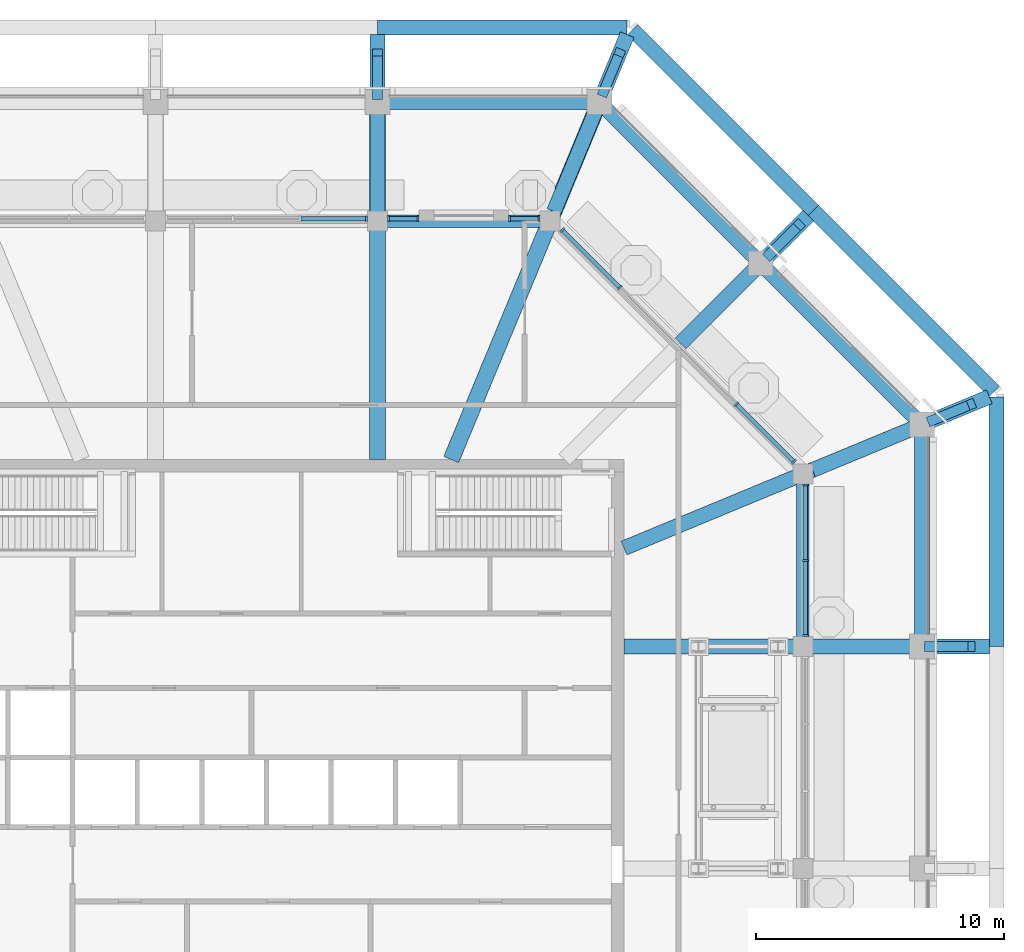
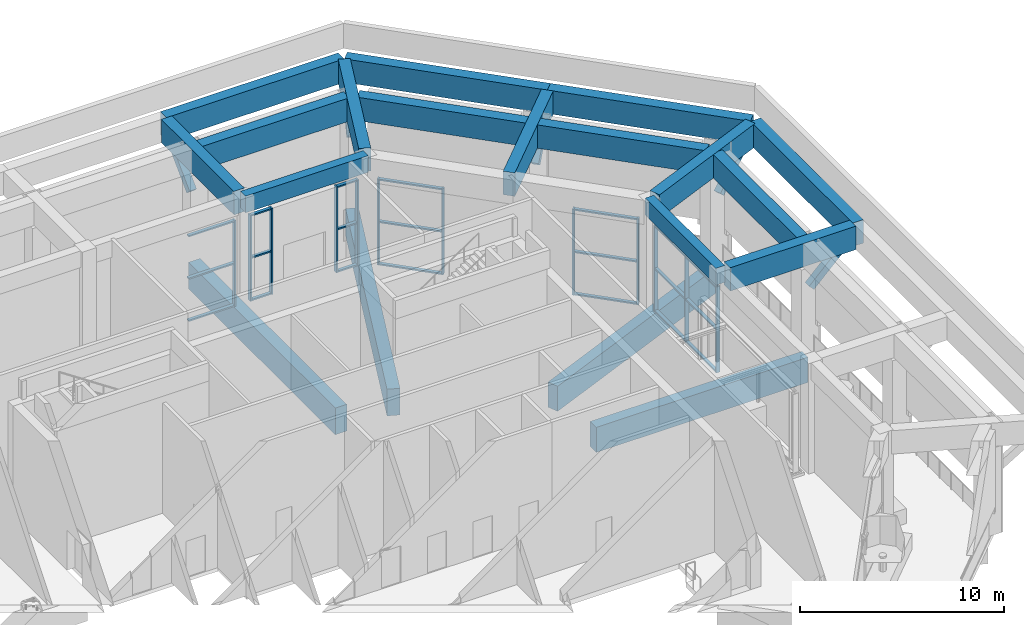
# One storey, part 11 of 29: 38 members, 19 beams, 5 elements without a shape of their own.
"""IFC4 building model written with IfcOpenShell, lengths in metres."""

from ifc_helpers import new_model, si_unit, direction, frame, origin, origin_2d, place, context, subcontext, project, spatial, rectangle, extrude, material, material_profile, profile_set, type_object, element, aggregate, save


model = new_model("IFC4")

# Units and contexts
model_context = context("Model", 3, precision=1e-05, world=origin(), true_north=direction((0.0, 1.0)))
body_context = subcontext(model_context, "Body", "Model", "MODEL_VIEW")
ifc_project = project(units=[si_unit("LENGTHUNIT", "METRE"), si_unit("AREAUNIT", "SQUARE_METRE"), si_unit("VOLUMEUNIT", "CUBIC_METRE"), si_unit("PLANEANGLEUNIT", "RADIAN"), si_unit("MASSUNIT", "GRAM", prefix="KILO")], contexts=[model_context])

# Site, building, storey
site_placement = place(None, origin())
site = spatial("IfcSite", under=ifc_project, at=site_placement, CompositionType="ELEMENT")
building_placement = place(site_placement, origin())
building = spatial("IfcBuilding", under=site, at=building_placement, Name="Msitu Wima Residences", CompositionType="ELEMENT")
storey_placement = place(building_placement, frame((0.0, 0.0, 320.10009765625)))
storey = spatial("IfcBuildingStorey", under=building, at=storey_placement, Name="L74", CompositionType="ELEMENT", Elevation=320.10009765625)

# Beams
ifc_material_1 = material(Name="Concrete C60/75", Category="concrete")
ifc_material_profile_1 = material_profile(ifc_material_1, rectangle(XDim=0.60009765625, YDim=1.39990234375, at=origin_2d()), Name="RC 600x1400")
ifc_profile_set_1 = profile_set([ifc_material_profile_1], Name="Concrete C60/75")
beam_type_1 = type_object("IfcBeamType", Name="Canopy cantilever beam CT600x1400", PredefinedType="BEAM", material=ifc_profile_set_1)
beam_1_placement = place(storey_placement, frame((21.988037109375, 4.46875, 5.89990234375), z_axis=(1.0, 0.0, 0.0), x_axis=(0.0, 1.0, 0.0)))
element("IfcBeam", 1, at=beam_1_placement, inside=storey, type_object=beam_type_1, Name="Canopy cantilever beam C-E2", PredefinedType="BEAM", context=body_context, shape_type="SweptSolid", body=[
    extrude(rectangle(XDim=0.60009765625, YDim=1.39990234375, at=origin_2d()), origin(), (0.0, 0.0, 1.0), 7.1240234375),
])
beam_2_placement = place(storey_placement, frame((21.989013671875, 11.578857421875, 5.89990234375), z_axis=(0.923884437241, 0.382671591087, 0.0), x_axis=(-0.382671591087, 0.923884437241, 0.0)))
element("IfcBeam", 2, at=beam_2_placement, inside=storey, type_object=beam_type_1, Name="Canopy cantilever beam C-NE0", PredefinedType="BEAM", context=body_context, shape_type="SweptSolid", body=[
    extrude(rectangle(XDim=0.60009765625, YDim=1.39990234375, at=origin_2d()), origin(), (0.0, 0.0, 1.0), 7.708740234375),
])
beam_3_placement = place(storey_placement, frame((16.677001953125, 16.677001953125, 5.89990234375), z_axis=(0.707106781187, 0.707106781187, 0.0), x_axis=(-0.707106781187, 0.707106781187, 0.0)))
element("IfcBeam", 3, at=beam_3_placement, inside=storey, type_object=beam_type_1, Name="Canopy cantilever beam C-NE1", PredefinedType="BEAM", context=body_context, shape_type="SweptSolid", body=[
    extrude(rectangle(XDim=0.60009765625, YDim=1.39990234375, at=origin_2d()), origin(), (0.0, 0.0, 1.0), 7.274169921875),
])
beam_4_placement = place(storey_placement, frame((11.578857421875, 21.989013671875, 5.89990234375), z_axis=(0.382671591087, 0.923884437241, 0.0), x_axis=(-0.923884437241, 0.382671591087, 0.0)))
element("IfcBeam", 4, at=beam_4_placement, inside=storey, type_object=beam_type_1, Name="Canopy cantilever beam C-N0", PredefinedType="BEAM", context=body_context, shape_type="SweptSolid", body=[
    extrude(rectangle(XDim=0.60009765625, YDim=1.39990234375, at=origin_2d()), origin(), (0.0, 0.0, 1.0), 7.708740234375),
])
beam_5_placement = place(storey_placement, frame((4.46875, 21.988037109375, 5.89990234375), z_axis=(0.0, 1.0, 0.0), x_axis=(-1.0, 0.0, 0.0)))
element("IfcBeam", 5, at=beam_5_placement, inside=storey, type_object=beam_type_1, Name="Canopy cantilever beam C-N1", PredefinedType="BEAM", context=body_context, shape_type="SweptSolid", body=[
    extrude(rectangle(XDim=0.60009765625, YDim=1.39990234375, at=origin_2d()), origin(), (0.0, 0.0, 1.0), 7.1240234375),
])

# Members
ifc_material_profile_2 = material_profile(ifc_material_1, rectangle(XDim=0.39990234375, YDim=0.39990234375, at=origin_2d()), Name="RC 400x400")
ifc_profile_set_2 = profile_set([ifc_material_profile_2], Name="Concrete C60/75")
member_type_1 = type_object("IfcMemberType", Name="Canopy knee strut KS400", PredefinedType="STRUT", material=ifc_profile_set_2)
for number, where, z_axis, x_axis, name in (
    (6, (26.64990234375, 4.46875, 3.699951171875), (0.707106781187, 0.0, 0.707106781187), (0.0, 1.0, 0.0), "Canopy knee strut C-E2"),
    (7, (26.7724609375, 13.560302734375, 3.699951171875), (0.653318495526, 0.270580195263, 0.707079416568), (-0.382643374349, 0.923896124067, 0.0), "Canopy knee strut C-NE0"),
):
    element("IfcMember", number, at=place(storey_placement, frame(where, z_axis=z_axis, x_axis=x_axis)), inside=storey, type_object=member_type_1, Name=name, PredefinedType="STRUT", context=body_context, shape_type="SweptSolid", body=[
        extrude(rectangle(XDim=0.39990234375, YDim=0.39990234375, at=origin_2d()), origin(), (0.0, 0.0, 1.0), 2.474853515625),
    ])
member_1_placement = place(storey_placement, frame((20.22607421875, 20.22607421875, 3.699951171875), z_axis=(0.500022618013, 0.500022618013, 0.707074793039), x_axis=(-0.707106781187, 0.707106781187, 0.0)))
element("IfcMember", 8, at=member_1_placement, inside=storey, type_object=member_type_1, Name="Canopy knee strut C-NE1", PredefinedType="STRUT", context=body_context, shape_type="SweptSolid", body=[
    extrude(rectangle(XDim=0.39990234375, YDim=0.39990234375, at=origin_2d()), origin(), (0.0, 0.0, 1.0), 2.47509765625),
])
for number, where, z_axis, x_axis, name in (
    (9, (13.560302734375, 26.7724609375, 3.699951171875), (0.270580195263, 0.653318495526, 0.707079416568), (-0.923896124067, 0.382643374349, 0.0), "Canopy knee strut C-N0"),
    (10, (4.46875, 26.64990234375, 3.699951171875), (0.0, 0.707106781187, 0.707106781187), (-1.0, 0.0, 0.0), "Canopy knee strut C-N1"),
):
    element("IfcMember", number, at=place(storey_placement, frame(where, z_axis=z_axis, x_axis=x_axis)), inside=storey, type_object=member_type_1, Name=name, PredefinedType="STRUT", context=body_context, shape_type="SweptSolid", body=[
        extrude(rectangle(XDim=0.39990234375, YDim=0.39990234375, at=origin_2d()), origin(), (0.0, 0.0, 1.0), 2.474853515625),
    ])

# Beams
ifc_material_profile_3 = material_profile(ifc_material_1, rectangle(XDim=0.5, YDim=1.0, at=origin_2d()), Name="RC 500x1000")
ifc_profile_set_3 = profile_set([ifc_material_profile_3], Name="Concrete C60/75")
beam_type_2 = type_object("IfcBeamType", Name="Chamber ring beam CB500x1000", PredefinedType="BEAM", material=ifc_profile_set_3)
for number, where, z_axis, x_axis, name in (
    (11, (21.60009765625, 4.46875, 6.099853515625), (0.0, 1.0, 0.0), (-1.0, 0.0, 0.0), "Chamber ring beam CH2"),
    (12, (11.417724609375, 21.60009765625, 6.099853515625), (-1.0, 0.0, 0.0), (0.0, -1.0, 0.0), "Chamber ring beam CH4"),
):
    element("IfcBeam", number, at=place(storey_placement, frame(where, z_axis=z_axis, x_axis=x_axis)), inside=storey, type_object=beam_type_2, Name=name, PredefinedType="BEAM", context=body_context, shape_type="SweptSolid", body=[
        extrude(rectangle(XDim=0.5, YDim=1.0, at=origin_2d()), origin(), (0.0, 0.0, 1.0), 6.948974609375),
    ])
ifc_material_profile_4 = material_profile(ifc_material_1, rectangle(XDim=0.60009765625, YDim=1.5, at=origin_2d()), Name="RC 600x1500")
ifc_profile_set_4 = profile_set([ifc_material_profile_4], Name="Concrete C60/75")
beam_type_3 = type_object("IfcBeamType", Name="Deck girder DG600x1500", PredefinedType="BEAM", material=ifc_profile_set_4)
beam_6_placement = place(storey_placement, frame((26.39990234375, 4.46875, -1.050048828125), z_axis=(-1.0, 0.0, 0.0), x_axis=(0.0, -1.0, 0.0)))
element("IfcBeam", 13, at=beam_6_placement, inside=storey, type_object=beam_type_3, Name="Deck girder C-E2", PredefinedType="BEAM", context=body_context, shape_type="SweptSolid", body=[
    extrude(rectangle(XDim=0.60009765625, YDim=1.5, at=origin_2d()), origin(), (0.0, 0.0, 1.0), 12.0),
])
beam_7_placement = place(storey_placement, frame((26.39990234375, 13.406005859375, -1.050048828125), z_axis=(-0.923875711423, -0.382692657157, 0.0), x_axis=(0.382692657157, -0.923875711423, 0.0)))
element("IfcBeam", 14, at=beam_7_placement, inside=storey, type_object=beam_type_3, Name="Deck girder C-NE0", PredefinedType="BEAM", context=body_context, shape_type="SweptSolid", body=[
    extrude(rectangle(XDim=0.60009765625, YDim=1.5, at=origin_2d()), origin(), (0.0, 0.0, 1.0), 12.98876953125),
])
ifc_material_profile_5 = material_profile(ifc_material_1, rectangle(XDim=0.64990234375, YDim=1.60009765625, at=origin_2d()), Name="RC 650x1600")
ifc_profile_set_5 = profile_set([ifc_material_profile_5], Name="Concrete C60/75")
beam_type_4 = type_object("IfcBeamType", Name="Deck girder DG650x1600", PredefinedType="BEAM", material=ifc_profile_set_5)
beam_8_placement = place(storey_placement, frame((13.406005859375, 26.39990234375, -1.10009765625), z_axis=(-0.382694872378, -0.92387479382, 0.0), x_axis=(0.92387479382, -0.382694872378, 0.0)))
element("IfcBeam", 15, at=beam_8_placement, inside=storey, type_object=beam_type_4, Name="Deck girder C-N0", PredefinedType="BEAM", context=body_context, shape_type="SweptSolid", body=[
    extrude(rectangle(XDim=0.64990234375, YDim=1.60009765625, at=origin_2d()), origin(), (0.0, 0.0, 1.0), 15.58642578125),
])
beam_9_placement = place(storey_placement, frame((4.46875, 26.39990234375, -1.10009765625), z_axis=(0.0, -1.0, 0.0), x_axis=(1.0, 0.0, 0.0)))
element("IfcBeam", 16, at=beam_9_placement, inside=storey, type_object=beam_type_4, Name="Deck girder C-N1", PredefinedType="BEAM", context=body_context, shape_type="SweptSolid", body=[
    extrude(rectangle(XDim=0.64990234375, YDim=1.60009765625, at=origin_2d()), origin(), (0.0, 0.0, 1.0), 14.39990234375),
])
ifc_material_profile_6 = material_profile(ifc_material_1, rectangle(XDim=0.60009765625, YDim=1.39990234375, at=origin_2d()), Name="RC 600x1400")
ifc_profile_set_6 = profile_set([ifc_material_profile_6], Name="Concrete C60/75")
beam_type_5 = type_object("IfcBeamType", Name="Fascia beam FB600x1400", PredefinedType="BEAM", material=ifc_profile_set_6)
beam_10_placement = place(storey_placement, frame((26.39990234375, 4.756591796875, 5.89990234375), z_axis=(0.0, 1.0, 0.0), x_axis=(-1.0, 0.0, 0.0)))
element("IfcBeam", 17, at=beam_10_placement, inside=storey, type_object=beam_type_5, Name="Canopy fascia beam C-E2", PredefinedType="BEAM", context=body_context, shape_type="SweptSolid", body=[
    extrude(rectangle(XDim=0.60009765625, YDim=1.39990234375, at=origin_2d()), origin(), (0.0, 0.0, 1.0), 8.336669921875),
])
for number, where, z_axis, x_axis, name in (
    (18, (26.178955078125, 13.626953125, 5.89990234375), (-0.707106781187, 0.707106781187, 0.0), (-0.707106781187, -0.707106781187, 0.0), "Canopy fascia beam C-NE0"),
    (19, (19.69921875, 20.106689453125, 5.89990234375), (-0.707106781187, 0.707106781187, 0.0), (-0.707106781187, -0.707106781187, 0.0), "Canopy fascia beam C-NE1"),
):
    element("IfcBeam", number, at=place(storey_placement, frame(where, z_axis=z_axis, x_axis=x_axis)), inside=storey, type_object=beam_type_5, Name=name, PredefinedType="BEAM", context=body_context, shape_type="SweptSolid", body=[
        extrude(rectangle(XDim=0.60009765625, YDim=1.39990234375, at=origin_2d()), origin(), (0.0, 0.0, 1.0), 8.58740234375),
    ])
beam_11_placement = place(storey_placement, frame((13.09326171875, 26.39990234375, 5.89990234375), z_axis=(-1.0, 0.0, 0.0), x_axis=(0.0, -1.0, 0.0)))
element("IfcBeam", 20, at=beam_11_placement, inside=storey, type_object=beam_type_5, Name="Canopy fascia beam C-N0", PredefinedType="BEAM", context=body_context, shape_type="SweptSolid", body=[
    extrude(rectangle(XDim=0.60009765625, YDim=1.39990234375, at=origin_2d()), origin(), (0.0, 0.0, 1.0), 8.336669921875),
])
beam_12_placement = place(storey_placement, frame((29.39990234375, 4.46875, 5.89990234375), z_axis=(0.0, 1.0, 0.0), x_axis=(-1.0, 0.0, 0.0)))
element("IfcBeam", 21, at=beam_12_placement, inside=storey, type_object=beam_type_5, Name="Canopy edge fascia beam C-E2", PredefinedType="BEAM", context=body_context, shape_type="SweptSolid", body=[
    extrude(rectangle(XDim=0.60009765625, YDim=1.39990234375, at=origin_2d()), origin(), (0.0, 0.0, 1.0), 10.055419921875),
])
for number, where, z_axis, x_axis, name in (
    (22, (29.31201171875, 14.736328125, 5.89990234375), (-0.707106781187, 0.707106781187, 0.0), (-0.707106781187, -0.707106781187, 0.0), "Canopy edge fascia beam C-NE0"),
    (23, (22.024169921875, 22.024169921875, 5.89990234375), (-0.707106781187, 0.707106781187, 0.0), (-0.707106781187, -0.707106781187, 0.0), "Canopy edge fascia beam C-NE1"),
):
    element("IfcBeam", number, at=place(storey_placement, frame(where, z_axis=z_axis, x_axis=x_axis)), inside=storey, type_object=beam_type_5, Name=name, PredefinedType="BEAM", context=body_context, shape_type="SweptSolid", body=[
        extrude(rectangle(XDim=0.60009765625, YDim=1.39990234375, at=origin_2d()), origin(), (0.0, 0.0, 1.0), 10.306640625),
    ])
beam_13_placement = place(storey_placement, frame((14.524169921875, 29.39990234375, 5.89990234375), z_axis=(-1.0, 0.0, 0.0), x_axis=(0.0, -1.0, 0.0)))
element("IfcBeam", 24, at=beam_13_placement, inside=storey, type_object=beam_type_5, Name="Canopy edge fascia beam C-N0", PredefinedType="BEAM", context=body_context, shape_type="SweptSolid", body=[
    extrude(rectangle(XDim=0.60009765625, YDim=1.39990234375, at=origin_2d()), origin(), (0.0, 0.0, 1.0), 10.055419921875),
])

# Curtain wall, members
ifc_material_2 = material(Name="Anodised aluminium, bronze finish, clear laminated double glazing", Category="aluminium")
curtain_wall_type = type_object("IfcCurtainWallType", Name="Curtain wall CW4 damper chamber wall", PredefinedType="NOTDEFINED", material=ifc_material_2)
curtain_wall_1_placement = place(storey_placement, origin())
curtain_wall_1 = element("IfcCurtainWall", 25, at=curtain_wall_1_placement, inside=storey, type_object=curtain_wall_type, Name="Curtain wall CW4 L74 CH-0c0", PredefinedType="NOTDEFINED")
ifc_material_3 = material(Name="Anodised aluminium, bronze finish", Category="aluminium")
ifc_material_profile_7 = material_profile(ifc_material_3, rectangle(XDim=0.219970703125, YDim=0.0849609375, at=origin_2d()), Name="Mullion 85x220")
ifc_profile_set_7 = profile_set([ifc_material_profile_7], Name="Anodised aluminium, bronze finish")
member_type_2 = type_object("IfcMemberType", Name="Mullion CW4 85x220", PredefinedType="MULLION", material=ifc_profile_set_7)
member_2_placement = place(storey_placement, frame((21.699951171875, 4.9111328125, 0.0), z_axis=(0.0, 0.0, 1.0), x_axis=(-1.0, 0.0, 0.0)))
member_2 = element("IfcMember", 26, at=member_2_placement, type_object=member_type_2, Name="CW4 mullion 1", PredefinedType="MULLION", context=body_context, shape_type="SweptSolid", body=[
    extrude(rectangle(XDim=0.219970703125, YDim=0.0849609375, at=origin_2d()), origin(), (0.0, 0.0, 1.0), 5.14990234375),
])
member_3_placement = place(storey_placement, frame((21.699951171875, 7.943115234375, 0.0), z_axis=(0.0, 0.0, 1.0), x_axis=(-1.0, 0.0, 0.0)))
member_3 = element("IfcMember", 27, at=member_3_placement, type_object=member_type_2, Name="CW4 mullion 2", PredefinedType="MULLION", context=body_context, shape_type="SweptSolid", body=[
    extrude(rectangle(XDim=0.219970703125, YDim=0.0849609375, at=origin_2d()), origin(), (0.0, 0.0, 1.0), 5.14990234375),
])
member_4_placement = place(storey_placement, frame((21.699951171875, 10.97509765625, 0.0), z_axis=(0.0, 0.0, 1.0), x_axis=(-1.0, 0.0, 0.0)))
member_4 = element("IfcMember", 28, at=member_4_placement, type_object=member_type_2, Name="CW4 mullion 3", PredefinedType="MULLION", context=body_context, shape_type="SweptSolid", body=[
    extrude(rectangle(XDim=0.219970703125, YDim=0.0849609375, at=origin_2d()), origin(), (0.0, 0.0, 1.0), 5.14990234375),
])

curtain_wall_2_placement = place(storey_placement, origin())
curtain_wall_2 = element("IfcCurtainWall", 29, at=curtain_wall_2_placement, inside=storey, type_object=curtain_wall_type, Name="Curtain wall CW4 L74 CH-1a0", PredefinedType="NOTDEFINED")
member_5_placement = place(storey_placement, frame((21.24072265625, 11.91845703125, 0.0), z_axis=(0.0, 0.0, 1.0), x_axis=(-0.707106781187, -0.707106781187, 0.0)))
member_5 = element("IfcMember", 30, at=member_5_placement, type_object=member_type_2, Name="CW4 mullion 1", PredefinedType="MULLION", context=body_context, shape_type="SweptSolid", body=[
    extrude(rectangle(XDim=0.219970703125, YDim=0.0849609375, at=origin_2d()), origin(), (0.0, 0.0, 1.0), 5.14990234375),
])
member_6_placement = place(storey_placement, frame((18.925048828125, 14.23388671875, 0.0), z_axis=(0.0, 0.0, 1.0), x_axis=(-0.707106781187, -0.707106781187, 0.0)))
member_6 = element("IfcMember", 31, at=member_6_placement, type_object=member_type_2, Name="CW4 mullion 2", PredefinedType="MULLION", context=body_context, shape_type="SweptSolid", body=[
    extrude(rectangle(XDim=0.219970703125, YDim=0.0849609375, at=origin_2d()), origin(), (0.0, 0.0, 1.0), 5.14990234375),
])
member_7_placement = place(storey_placement, frame((14.23388671875, 18.925048828125, 0.0), z_axis=(0.0, 0.0, 1.0), x_axis=(-0.707106781187, -0.707106781187, 0.0)))
member_7 = element("IfcMember", 32, at=member_7_placement, type_object=member_type_2, Name="CW4 mullion 4", PredefinedType="MULLION", context=body_context, shape_type="SweptSolid", body=[
    extrude(rectangle(XDim=0.219970703125, YDim=0.0849609375, at=origin_2d()), origin(), (0.0, 0.0, 1.0), 5.14990234375),
])
member_8_placement = place(storey_placement, frame((11.91845703125, 21.24072265625, 0.0), z_axis=(0.0, 0.0, 1.0), x_axis=(-0.707106781187, -0.707106781187, 0.0)))
member_8 = element("IfcMember", 33, at=member_8_placement, type_object=member_type_2, Name="CW4 mullion 5", PredefinedType="MULLION", context=body_context, shape_type="SweptSolid", body=[
    extrude(rectangle(XDim=0.219970703125, YDim=0.0849609375, at=origin_2d()), origin(), (0.0, 0.0, 1.0), 5.14990234375),
])

curtain_wall_3_placement = place(storey_placement, origin())
curtain_wall_3 = element("IfcCurtainWall", 34, at=curtain_wall_3_placement, inside=storey, type_object=curtain_wall_type, Name="Curtain wall CW4 L74 CH-2a0", PredefinedType="NOTDEFINED")
member_9_placement = place(storey_placement, frame((10.97509765625, 21.699951171875, 0.0), z_axis=(0.0, 0.0, 1.0), x_axis=(0.0, -1.0, 0.0)))
member_9 = element("IfcMember", 35, at=member_9_placement, type_object=member_type_2, Name="CW4 mullion 1", PredefinedType="MULLION", context=body_context, shape_type="SweptSolid", body=[
    extrude(rectangle(XDim=0.219970703125, YDim=0.0849609375, at=origin_2d()), origin(), (0.0, 0.0, 1.0), 5.14990234375),
])
member_10_placement = place(storey_placement, frame((9.78564453125, 21.699951171875, 0.0), z_axis=(0.0, 0.0, 1.0), x_axis=(0.0, -1.0, 0.0)))
member_10 = element("IfcMember", 36, at=member_10_placement, type_object=member_type_2, Name="CW4 mullion 2", PredefinedType="MULLION", context=body_context, shape_type="SweptSolid", body=[
    extrude(rectangle(XDim=0.219970703125, YDim=0.0849609375, at=origin_2d()), origin(), (0.0, 0.0, 1.0), 5.14990234375),
])

curtain_wall_4_placement = place(storey_placement, origin())
curtain_wall_4 = element("IfcCurtainWall", 37, at=curtain_wall_4_placement, inside=storey, type_object=curtain_wall_type, Name="Curtain wall CW4 L74 CH-2a2", PredefinedType="NOTDEFINED")
member_11_placement = place(storey_placement, frame((6.1005859375, 21.699951171875, 0.0), z_axis=(0.0, 0.0, 1.0), x_axis=(0.0, -1.0, 0.0)))
member_11 = element("IfcMember", 38, at=member_11_placement, type_object=member_type_2, Name="CW4 mullion 1", PredefinedType="MULLION", context=body_context, shape_type="SweptSolid", body=[
    extrude(rectangle(XDim=0.219970703125, YDim=0.0849609375, at=origin_2d()), origin(), (0.0, 0.0, 1.0), 5.14990234375),
])
member_12_placement = place(storey_placement, frame((4.9111328125, 21.699951171875, 0.0), z_axis=(0.0, 0.0, 1.0), x_axis=(0.0, -1.0, 0.0)))
member_12 = element("IfcMember", 39, at=member_12_placement, type_object=member_type_2, Name="CW4 mullion 2", PredefinedType="MULLION", context=body_context, shape_type="SweptSolid", body=[
    extrude(rectangle(XDim=0.219970703125, YDim=0.0849609375, at=origin_2d()), origin(), (0.0, 0.0, 1.0), 5.14990234375),
])

# Curtain wall, member
curtain_wall_5_placement = place(storey_placement, origin())
curtain_wall_5 = element("IfcCurtainWall", 40, at=curtain_wall_5_placement, inside=storey, type_object=curtain_wall_type, Name="Curtain wall CW4 L74 CH-2b0", PredefinedType="NOTDEFINED")
member_13_placement = place(storey_placement, frame((4.026123046875, 21.699951171875, 0.0), z_axis=(0.0, 0.0, 1.0), x_axis=(0.0, -1.0, 0.0)))
member_13 = element("IfcMember", 41, at=member_13_placement, type_object=member_type_2, Name="CW4 mullion 1", PredefinedType="MULLION", context=body_context, shape_type="SweptSolid", body=[
    extrude(rectangle(XDim=0.219970703125, YDim=0.0849609375, at=origin_2d()), origin(), (0.0, 0.0, 1.0), 5.14990234375),
])

# Member
ifc_material_profile_8 = material_profile(ifc_material_3, rectangle(XDim=0.179931640625, YDim=0.0849609375, at=origin_2d()), Name="Transom 85x180")
ifc_profile_set_8 = profile_set([ifc_material_profile_8], Name="Anodised aluminium, bronze finish")
member_type_3 = type_object("IfcMemberType", Name="Transom CW4 85x180", PredefinedType="USERDEFINED", material=ifc_profile_set_8)
member_14_placement = place(storey_placement, frame((21.699951171875, 4.95361328125, 0.04248046875), z_axis=(0.0, 1.0, 0.0), x_axis=(-1.0, 0.0, 0.0)))
member_14 = element("IfcMember", 42, at=member_14_placement, type_object=member_type_3, Name="CW4 transom 1.1", ObjectType="TRANSOM", PredefinedType="USERDEFINED", context=body_context, shape_type="SweptSolid", body=[
    extrude(rectangle(XDim=0.179931640625, YDim=0.0849609375, at=origin_2d()), origin(), (0.0, 0.0, 1.0), 2.947021484375),
])

member_15_placement = place(storey_placement, frame((21.699951171875, 4.95361328125, 2.574951171875), z_axis=(0.0, 1.0, 0.0), x_axis=(-1.0, 0.0, 0.0)))
member_15 = element("IfcMember", 43, at=member_15_placement, type_object=member_type_3, Name="CW4 transom 1.2", ObjectType="TRANSOM", PredefinedType="USERDEFINED", context=body_context, shape_type="SweptSolid", body=[
    extrude(rectangle(XDim=0.179931640625, YDim=0.0849609375, at=origin_2d()), origin(), (0.0, 0.0, 1.0), 2.947021484375),
])

member_16_placement = place(storey_placement, frame((21.699951171875, 4.95361328125, 5.107421875), z_axis=(0.0, 1.0, 0.0), x_axis=(-1.0, 0.0, 0.0)))
member_16 = element("IfcMember", 44, at=member_16_placement, type_object=member_type_3, Name="CW4 transom 1.3", ObjectType="TRANSOM", PredefinedType="USERDEFINED", context=body_context, shape_type="SweptSolid", body=[
    extrude(rectangle(XDim=0.179931640625, YDim=0.0849609375, at=origin_2d()), origin(), (0.0, 0.0, 1.0), 2.947021484375),
])

member_17_placement = place(storey_placement, frame((21.699951171875, 7.985595703125, 0.04248046875), z_axis=(0.0, 1.0, 0.0), x_axis=(-1.0, 0.0, 0.0)))
member_17 = element("IfcMember", 45, at=member_17_placement, type_object=member_type_3, Name="CW4 transom 2.1", ObjectType="TRANSOM", PredefinedType="USERDEFINED", context=body_context, shape_type="SweptSolid", body=[
    extrude(rectangle(XDim=0.179931640625, YDim=0.0849609375, at=origin_2d()), origin(), (0.0, 0.0, 1.0), 2.947021484375),
])

member_18_placement = place(storey_placement, frame((21.699951171875, 7.985595703125, 2.574951171875), z_axis=(0.0, 1.0, 0.0), x_axis=(-1.0, 0.0, 0.0)))
member_18 = element("IfcMember", 46, at=member_18_placement, type_object=member_type_3, Name="CW4 transom 2.2", ObjectType="TRANSOM", PredefinedType="USERDEFINED", context=body_context, shape_type="SweptSolid", body=[
    extrude(rectangle(XDim=0.179931640625, YDim=0.0849609375, at=origin_2d()), origin(), (0.0, 0.0, 1.0), 2.947021484375),
])

member_19_placement = place(storey_placement, frame((21.699951171875, 7.985595703125, 5.107421875), z_axis=(0.0, 1.0, 0.0), x_axis=(-1.0, 0.0, 0.0)))
member_19 = element("IfcMember", 47, at=member_19_placement, type_object=member_type_3, Name="CW4 transom 2.3", ObjectType="TRANSOM", PredefinedType="USERDEFINED", context=body_context, shape_type="SweptSolid", body=[
    extrude(rectangle(XDim=0.179931640625, YDim=0.0849609375, at=origin_2d()), origin(), (0.0, 0.0, 1.0), 2.947021484375),
])

aggregate(curtain_wall_1, [member_2, member_3, member_4, member_14, member_15, member_16, member_17, member_18, member_19])

member_20_placement = place(storey_placement, frame((21.210693359375, 11.948486328125, 0.04248046875), z_axis=(-0.707145049717, 0.707068510584, 0.0), x_axis=(-0.707068510584, -0.707145049717, 0.0)))
member_20 = element("IfcMember", 48, at=member_20_placement, type_object=member_type_3, Name="CW4 transom 1.1", ObjectType="TRANSOM", PredefinedType="USERDEFINED", context=body_context, shape_type="SweptSolid", body=[
    extrude(rectangle(XDim=0.179931640625, YDim=0.0849609375, at=origin_2d()), origin(), (0.0, 0.0, 1.0), 3.189697265625),
])

member_21_placement = place(storey_placement, frame((21.210693359375, 11.948486328125, 2.574951171875), z_axis=(-0.707145049717, 0.707068510584, 0.0), x_axis=(-0.707068510584, -0.707145049717, 0.0)))
member_21 = element("IfcMember", 49, at=member_21_placement, type_object=member_type_3, Name="CW4 transom 1.2", ObjectType="TRANSOM", PredefinedType="USERDEFINED", context=body_context, shape_type="SweptSolid", body=[
    extrude(rectangle(XDim=0.179931640625, YDim=0.0849609375, at=origin_2d()), origin(), (0.0, 0.0, 1.0), 3.189697265625),
])

member_22_placement = place(storey_placement, frame((21.210693359375, 11.948486328125, 5.107421875), z_axis=(-0.707145049717, 0.707068510584, 0.0), x_axis=(-0.707068510584, -0.707145049717, 0.0)))
member_22 = element("IfcMember", 50, at=member_22_placement, type_object=member_type_3, Name="CW4 transom 1.3", ObjectType="TRANSOM", PredefinedType="USERDEFINED", context=body_context, shape_type="SweptSolid", body=[
    extrude(rectangle(XDim=0.179931640625, YDim=0.0849609375, at=origin_2d()), origin(), (0.0, 0.0, 1.0), 3.189697265625),
])

member_23_placement = place(storey_placement, frame((14.203857421875, 18.955078125, 0.04248046875), z_axis=(-0.707068510584, 0.707145049717, 0.0), x_axis=(-0.707145049717, -0.707068510584, 0.0)))
member_23 = element("IfcMember", 51, at=member_23_placement, type_object=member_type_3, Name="CW4 transom 4.1", ObjectType="TRANSOM", PredefinedType="USERDEFINED", context=body_context, shape_type="SweptSolid", body=[
    extrude(rectangle(XDim=0.179931640625, YDim=0.0849609375, at=origin_2d()), origin(), (0.0, 0.0, 1.0), 3.189697265625),
])

member_24_placement = place(storey_placement, frame((14.203857421875, 18.955078125, 2.574951171875), z_axis=(-0.707068510584, 0.707145049717, 0.0), x_axis=(-0.707145049717, -0.707068510584, 0.0)))
member_24 = element("IfcMember", 52, at=member_24_placement, type_object=member_type_3, Name="CW4 transom 4.2", ObjectType="TRANSOM", PredefinedType="USERDEFINED", context=body_context, shape_type="SweptSolid", body=[
    extrude(rectangle(XDim=0.179931640625, YDim=0.0849609375, at=origin_2d()), origin(), (0.0, 0.0, 1.0), 3.189697265625),
])

member_25_placement = place(storey_placement, frame((14.203857421875, 18.955078125, 5.107421875), z_axis=(-0.707068510584, 0.707145049717, 0.0), x_axis=(-0.707145049717, -0.707068510584, 0.0)))
member_25 = element("IfcMember", 53, at=member_25_placement, type_object=member_type_3, Name="CW4 transom 4.3", ObjectType="TRANSOM", PredefinedType="USERDEFINED", context=body_context, shape_type="SweptSolid", body=[
    extrude(rectangle(XDim=0.179931640625, YDim=0.0849609375, at=origin_2d()), origin(), (0.0, 0.0, 1.0), 3.189697265625),
])

aggregate(curtain_wall_2, [member_5, member_6, member_7, member_8, member_20, member_21, member_22, member_23, member_24, member_25])

member_26_placement = place(storey_placement, frame((10.9326171875, 21.699951171875, 0.04248046875), z_axis=(-1.0, 0.0, 0.0), x_axis=(0.0, -1.0, 0.0)))
member_26 = element("IfcMember", 54, at=member_26_placement, type_object=member_type_3, Name="CW4 transom 1.1", ObjectType="TRANSOM", PredefinedType="USERDEFINED", context=body_context, shape_type="SweptSolid", body=[
    extrude(rectangle(XDim=0.179931640625, YDim=0.0849609375, at=origin_2d()), origin(), (0.0, 0.0, 1.0), 1.1044921875),
])

member_27_placement = place(storey_placement, frame((10.9326171875, 21.699951171875, 2.574951171875), z_axis=(-1.0, 0.0, 0.0), x_axis=(0.0, -1.0, 0.0)))
member_27 = element("IfcMember", 55, at=member_27_placement, type_object=member_type_3, Name="CW4 transom 1.2", ObjectType="TRANSOM", PredefinedType="USERDEFINED", context=body_context, shape_type="SweptSolid", body=[
    extrude(rectangle(XDim=0.179931640625, YDim=0.0849609375, at=origin_2d()), origin(), (0.0, 0.0, 1.0), 1.1044921875),
])

member_28_placement = place(storey_placement, frame((10.9326171875, 21.699951171875, 5.107421875), z_axis=(-1.0, 0.0, 0.0), x_axis=(0.0, -1.0, 0.0)))
member_28 = element("IfcMember", 56, at=member_28_placement, type_object=member_type_3, Name="CW4 transom 1.3", ObjectType="TRANSOM", PredefinedType="USERDEFINED", context=body_context, shape_type="SweptSolid", body=[
    extrude(rectangle(XDim=0.179931640625, YDim=0.0849609375, at=origin_2d()), origin(), (0.0, 0.0, 1.0), 1.1044921875),
])

aggregate(curtain_wall_3, [member_9, member_10, member_26, member_27, member_28])

member_29_placement = place(storey_placement, frame((6.05810546875, 21.699951171875, 0.04248046875), z_axis=(-1.0, 0.0, 0.0), x_axis=(0.0, -1.0, 0.0)))
member_29 = element("IfcMember", 57, at=member_29_placement, type_object=member_type_3, Name="CW4 transom 1.1", ObjectType="TRANSOM", PredefinedType="USERDEFINED", context=body_context, shape_type="SweptSolid", body=[
    extrude(rectangle(XDim=0.179931640625, YDim=0.0849609375, at=origin_2d()), origin(), (0.0, 0.0, 1.0), 1.1044921875),
])

member_30_placement = place(storey_placement, frame((6.05810546875, 21.699951171875, 2.574951171875), z_axis=(-1.0, 0.0, 0.0), x_axis=(0.0, -1.0, 0.0)))
member_30 = element("IfcMember", 58, at=member_30_placement, type_object=member_type_3, Name="CW4 transom 1.2", ObjectType="TRANSOM", PredefinedType="USERDEFINED", context=body_context, shape_type="SweptSolid", body=[
    extrude(rectangle(XDim=0.179931640625, YDim=0.0849609375, at=origin_2d()), origin(), (0.0, 0.0, 1.0), 1.1044921875),
])

member_31_placement = place(storey_placement, frame((6.05810546875, 21.699951171875, 5.107421875), z_axis=(-1.0, 0.0, 0.0), x_axis=(0.0, -1.0, 0.0)))
member_31 = element("IfcMember", 59, at=member_31_placement, type_object=member_type_3, Name="CW4 transom 1.3", ObjectType="TRANSOM", PredefinedType="USERDEFINED", context=body_context, shape_type="SweptSolid", body=[
    extrude(rectangle(XDim=0.179931640625, YDim=0.0849609375, at=origin_2d()), origin(), (0.0, 0.0, 1.0), 1.1044921875),
])

aggregate(curtain_wall_4, [member_11, member_12, member_29, member_30, member_31])

member_32_placement = place(storey_placement, frame((3.983642578125, 21.699951171875, 0.04248046875), z_axis=(-1.0, 0.0, 0.0), x_axis=(0.0, -1.0, 0.0)))
member_32 = element("IfcMember", 60, at=member_32_placement, type_object=member_type_3, Name="CW4 transom 1.1", ObjectType="TRANSOM", PredefinedType="USERDEFINED", context=body_context, shape_type="SweptSolid", body=[
    extrude(rectangle(XDim=0.179931640625, YDim=0.0849609375, at=origin_2d()), origin(), (0.0, 0.0, 1.0), 2.5849609375),
])

member_33_placement = place(storey_placement, frame((3.983642578125, 21.699951171875, 2.574951171875), z_axis=(-1.0, 0.0, 0.0), x_axis=(0.0, -1.0, 0.0)))
member_33 = element("IfcMember", 61, at=member_33_placement, type_object=member_type_3, Name="CW4 transom 1.2", ObjectType="TRANSOM", PredefinedType="USERDEFINED", context=body_context, shape_type="SweptSolid", body=[
    extrude(rectangle(XDim=0.179931640625, YDim=0.0849609375, at=origin_2d()), origin(), (0.0, 0.0, 1.0), 2.5849609375),
])

member_34_placement = place(storey_placement, frame((3.983642578125, 21.699951171875, 5.107421875), z_axis=(-1.0, 0.0, 0.0), x_axis=(0.0, -1.0, 0.0)))
member_34 = element("IfcMember", 62, at=member_34_placement, type_object=member_type_3, Name="CW4 transom 1.3", ObjectType="TRANSOM", PredefinedType="USERDEFINED", context=body_context, shape_type="SweptSolid", body=[
    extrude(rectangle(XDim=0.179931640625, YDim=0.0849609375, at=origin_2d()), origin(), (0.0, 0.0, 1.0), 2.5849609375),
])

aggregate(curtain_wall_5, [member_13, member_32, member_33, member_34])

save(model, "model.ifc")
